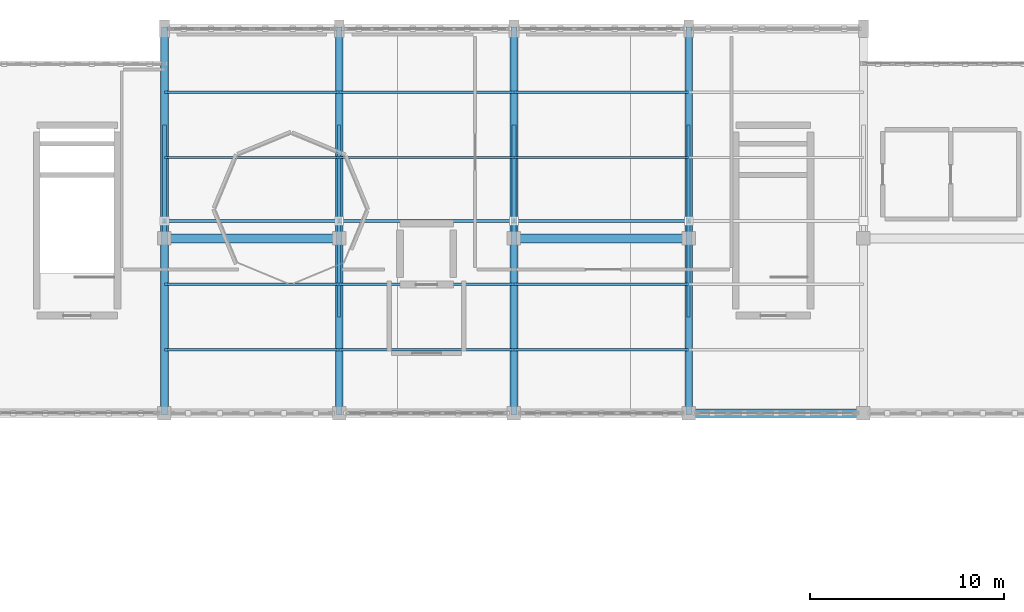
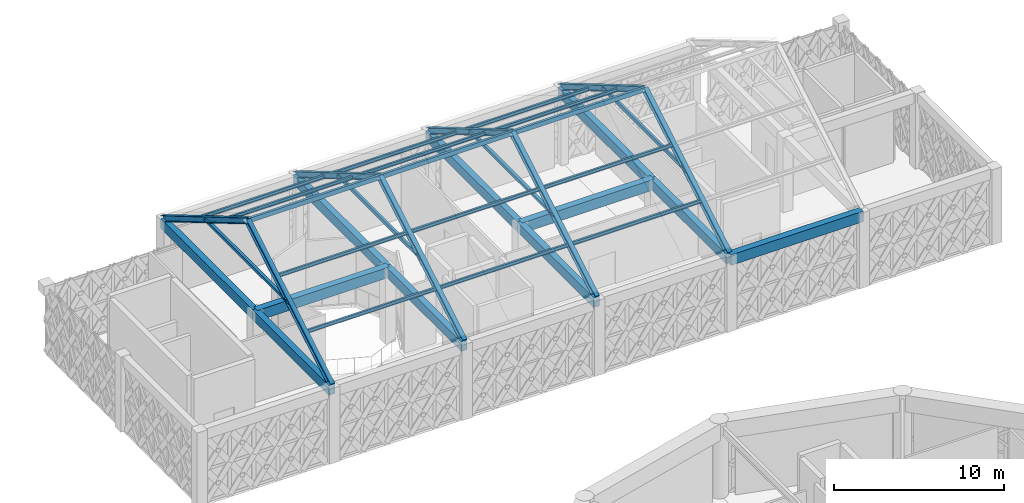
# One storey, part 44 of 72: 27 members, 11 beams.
"""IFC4 building model written with IfcOpenShell, lengths in metres."""

import ifcopenshell
import ifcopenshell.guid

model = None  # the IFC model being written
_history = None  # IfcOwnerHistory: only IFC2X3 demands one
_inside = {}  # id of a spatial element -> (the spatial element, [elements in it])
_under = {}  # id of a project, library or spatial element -> (it, [spatial elements below it])
_declared = {}  # id of a project -> (the project, [libraries it declares])
_typed = {}  # id of a type object -> (the type object, [elements of that type])
_made_of = {}  # id of a material, layer set ... -> (it, [elements and type objects made of it])


def new_model(schema):
    """Start an empty IFC model of exactly this schema.

    Asked for "IFC4X3", IfcOpenShell would pick the latest addendum, in which some entities
    have other attributes; the version numbers below select the first issue.
    IFC2X3 requires an IfcOwnerHistory on every rooted entity: one is made here for all.
    """
    global model, _history
    if schema == "IFC4X3":
        model = ifcopenshell.file(schema_version=(4, 3, 0, 0))
    else:
        model = ifcopenshell.file(schema=schema)
    _inside.clear()
    _under.clear()
    _declared.clear()
    _typed.clear()
    _made_of.clear()
    _history = None
    if model.schema == "IFC2X3":
        org = make("IfcOrganization", Name="unknown")
        user = make(
            "IfcPersonAndOrganization",
            ThePerson=make("IfcPerson", FamilyName="unknown"),
            TheOrganization=org,
        )
        app = make(
            "IfcApplication",
            ApplicationDeveloper=org,
            Version="unknown",
            ApplicationFullName="unknown",
            ApplicationIdentifier="unknown",
        )
        _history = make(
            "IfcOwnerHistory",
            OwningUser=user,
            OwningApplication=app,
            ChangeAction="ADDED",
            CreationDate=0,
        )
    return model


def make(cls, **values):
    """One entity of the class cls with the attributes given. An attribute that is None is left unset."""
    return model.create_entity(
        cls, **{name: value for name, value in values.items() if value is not None}
    )


def rooted(cls, **values):
    """An entity with a GlobalId (a new one), such as an element, a storey or a relation."""
    return make(cls, GlobalId=ifcopenshell.guid.new(), OwnerHistory=_history, **values)


def si_unit(unit_type, name, prefix=None):
    """IfcSIUnit, for example si_unit("LENGTHUNIT", "METRE", prefix="MILLI")."""
    return make("IfcSIUnit", UnitType=unit_type, Prefix=prefix, Name=name)


def assignment(units):
    """IfcUnitAssignment: the units of a project."""
    return None if units is None else make("IfcUnitAssignment", Units=units)


def point(xyz):
    """IfcCartesianPoint."""
    return None if xyz is None else make("IfcCartesianPoint", Coordinates=xyz)


def direction(xyz):
    """IfcDirection."""
    return None if xyz is None else make("IfcDirection", DirectionRatios=xyz)


def frame(location, z_axis=None, x_axis=None):
    """IfcAxis2Placement3D, a coordinate frame: its origin and axes. An axis left out is left unset."""
    return make(
        "IfcAxis2Placement3D",
        Location=point(location),
        Axis=direction(z_axis),
        RefDirection=direction(x_axis),
    )


def frame_2d(location, x_axis=None):
    """IfcAxis2Placement2D, a coordinate frame in the plane: its origin and x axis."""
    return make(
        "IfcAxis2Placement2D", Location=point(location), RefDirection=direction(x_axis)
    )


def origin():
    """The frame at (0, 0, 0) with its axes left unset."""
    return frame((0.0, 0.0, 0.0))


def origin_2d():
    """The frame at (0, 0) in the plane with its x axis left unset."""
    return frame_2d((0.0, 0.0))


def place(relative_to, where):
    """IfcLocalPlacement: puts the frame where relative to a parent placement (None: the world)."""
    return make(
        "IfcLocalPlacement", PlacementRelTo=relative_to, RelativePlacement=where
    )


def context(
    kind, dimensions, precision=None, world=None, true_north=None, identifier=None
):
    """IfcGeometricRepresentationContext, for example the 3D "Model" context."""
    return make(
        "IfcGeometricRepresentationContext",
        ContextIdentifier=identifier,
        ContextType=kind,
        CoordinateSpaceDimension=dimensions,
        Precision=precision,
        WorldCoordinateSystem=world,
        TrueNorth=true_north,
    )


def subcontext(parent, identifier, kind, view, scale=None):
    """IfcGeometricRepresentationSubContext, for example "Body" below "Model"."""
    return make(
        "IfcGeometricRepresentationSubContext",
        ContextIdentifier=identifier,
        ContextType=kind,
        ParentContext=parent,
        TargetScale=scale,
        TargetView=view,
    )


def project(units=None, contexts=None):
    """IfcProject with its units and contexts."""
    return rooted(
        "IfcProject",
        Name="project",
        RepresentationContexts=contexts,
        UnitsInContext=assignment(units),
    )


def spatial(cls, under=None, at=None, **own):
    """A site, building, storey or space (cls), placed at a placement, below another one or the project."""
    s = rooted(cls, ObjectPlacement=at, **own)
    if under is not None:
        _under.setdefault(under.id(), (under, []))[1].append(s)
    return s


def profile(cls, at=None, kind="AREA", **sizes):
    """A parametric profile (cls). Its sizes go by their IFC names, for example OverallWidth=200.0."""
    return make(cls, ProfileType=kind, Position=at, **sizes)


def rectangle(**sizes):
    """IfcRectangleProfileDef."""
    return profile("IfcRectangleProfileDef", **sizes)


def hollow_rectangle(**sizes):
    """IfcRectangleHollowProfileDef."""
    return profile("IfcRectangleHollowProfileDef", **sizes)


def i_section(**sizes):
    """IfcIShapeProfileDef."""
    return profile("IfcIShapeProfileDef", **sizes)


def extrude(swept, where, along, depth):
    """IfcExtrudedAreaSolid: the profile swept, set in the frame where, extruded along a direction by depth."""
    return make(
        "IfcExtrudedAreaSolid",
        SweptArea=swept,
        Position=where,
        ExtrudedDirection=direction(along),
        Depth=depth,
    )


def shape(context_of_items, identifier, shape_type, items):
    """IfcShapeRepresentation: the items that make up one representation, for example the "Body"."""
    return make(
        "IfcShapeRepresentation",
        ContextOfItems=context_of_items,
        RepresentationIdentifier=identifier,
        RepresentationType=shape_type,
        Items=items,
    )


def material(Name=None, Category=None):
    """IfcMaterial."""
    return make("IfcMaterial", Name=Name, Category=Category)


def material_profile(
    of_material, cross_section, Name=None, Category=None, Priority=None
):
    """IfcMaterialProfile: a cross section and its material."""
    return make(
        "IfcMaterialProfile",
        Name=Name,
        Material=of_material,
        Profile=cross_section,
        Priority=Priority,
        Category=Category,
    )


def profile_set(profiles, Name=None, composite=None):
    """IfcMaterialProfileSet."""
    return make(
        "IfcMaterialProfileSet",
        Name=Name,
        MaterialProfiles=profiles,
        CompositeProfile=composite,
    )


def made_of(thing, what):
    """Note that an element or type object is made of a material, layer set ...; save() writes the relation."""
    if what is not None:
        _made_of.setdefault(what.id(), (what, []))[1].append(thing)
    return thing


def type_object(cls, material=None, **own):
    """A type object (cls), such as IfcWallType, which elements share."""
    return made_of(rooted(cls, **own), material)


def element(
    cls,
    number,
    at=None,
    inside=None,
    cuts=None,
    type_object=None,
    material=None,
    context=None,
    identifier="Body",
    shape_type=None,
    held_by="IfcProductDefinitionShape",
    body=None,
    shapes=None,
    **own,
):
    """One element of the class cls, such as IfcWall. Its Tag is "e" and its number.

    at: its placement. inside: the storey or other place that contains it. cuts: it is an
    opening in that element (IfcRelVoidsElement). A single representation is given by context,
    identifier, shape_type and body (its items); several are given by shapes. held_by: the class
    of the entity that holds the representations. save() writes the other relations.
    """
    e = rooted(cls, Tag="e%d" % number, ObjectPlacement=at, **own)
    if body is not None:
        shapes = [shape(context, identifier, shape_type, body)]
    if shapes is not None:
        e.Representation = make(held_by, Representations=shapes)
    if inside is not None:
        _inside.setdefault(inside.id(), (inside, []))[1].append(e)
    if cuts is not None:
        rooted(
            "IfcRelVoidsElement", RelatingBuildingElement=cuts, RelatedOpeningElement=e
        )
    if type_object is not None:
        _typed.setdefault(type_object.id(), (type_object, []))[1].append(e)
    return made_of(e, material)


def aggregate(whole, parts):
    """IfcRelAggregates: a whole, such as a stair, and the parts it consists of."""
    return rooted("IfcRelAggregates", RelatingObject=whole, RelatedObjects=parts)


def save(model, path):
    """Write the relations noted so far, then the file.

    IfcRelAggregates (storeys below a building ...), IfcRelContainedInSpatialStructure (elements
    in a storey), IfcRelDefinesByType, IfcRelAssociatesMaterial and IfcRelDeclares: one each for
    every whole, place, type object, material and project.
    """
    for whole, parts in _under.values():
        aggregate(whole, parts)
    for where, things in _inside.values():
        rooted(
            "IfcRelContainedInSpatialStructure",
            RelatedElements=things,
            RelatingStructure=where,
        )
    for kind, things in _typed.values():
        rooted("IfcRelDefinesByType", RelatedObjects=things, RelatingType=kind)
    for what, things in _made_of.values():
        rooted("IfcRelAssociatesMaterial", RelatedObjects=things, RelatingMaterial=what)
    for by, libraries in _declared.values():
        rooted("IfcRelDeclares", RelatingContext=by, RelatedDefinitions=libraries)
    model.write(path)


model = new_model("IFC4")

# Units and contexts
model_context = context("Model", 3, precision=1e-05, world=origin(), true_north=direction((0.0, 1.0)))
body_context = subcontext(model_context, "Body", "Model", "MODEL_VIEW")
ifc_project = project(units=[si_unit("LENGTHUNIT", "METRE"), si_unit("AREAUNIT", "SQUARE_METRE"), si_unit("VOLUMEUNIT", "CUBIC_METRE"), si_unit("PLANEANGLEUNIT", "RADIAN"), si_unit("MASSUNIT", "GRAM", prefix="KILO")], contexts=[model_context])

# Site, building, storey
site_placement = place(None, origin())
site = spatial("IfcSite", under=ifc_project, at=site_placement, CompositionType="ELEMENT")
building_placement = place(site_placement, origin())
building = spatial("IfcBuilding", under=site, at=building_placement, Name="Haizhuo Lancet Aquarium", CompositionType="ELEMENT")
storey_placement = place(building_placement, frame((0.0, 0.0, 21.60009765625)))
storey = spatial("IfcBuildingStorey", under=building, at=storey_placement, Name="L04", CompositionType="ELEMENT", Elevation=21.60009765625)

# Beams
ifc_material_1 = material(Name="Concrete C40/50", Category="concrete")
ifc_material_profile_1 = material_profile(ifc_material_1, rectangle(XDim=0.39990234375, YDim=0.699951171875, at=origin_2d()), Name="RC-BM 400x700")
ifc_profile_set_1 = profile_set([ifc_material_profile_1], Name="Concrete C40/50")
beam_type_1 = type_object("IfcBeamType", Name="BM-RC-400x700", PredefinedType="BEAM", material=ifc_profile_set_1)
beam_1_placement = place(storey_placement, frame((-18.0, 36.0, 5.0498046875), z_axis=(0.0, 1.0, 0.0), x_axis=(-1.0, 0.0, 0.0)))
element("IfcBeam", 1, at=beam_1_placement, inside=storey, type_object=beam_type_1, Name="L04 V5 primary girder BM-L04-V5-003", PredefinedType="BEAM", context=body_context, shape_type="SweptSolid", body=[
    extrude(rectangle(XDim=0.39990234375, YDim=0.699951171875, at=origin_2d()), origin(), (0.0, 0.0, 1.0), 9.0),
])
beam_2_placement = place(storey_placement, frame((-18.0, 45.0, 5.0498046875), z_axis=(0.0, 1.0, 0.0), x_axis=(-1.0, 0.0, 0.0)))
element("IfcBeam", 2, at=beam_2_placement, inside=storey, type_object=beam_type_1, Name="L04 V5 primary girder BM-L04-V5-005", PredefinedType="BEAM", context=body_context, shape_type="SweptSolid", body=[
    extrude(rectangle(XDim=0.39990234375, YDim=0.699951171875, at=origin_2d()), origin(), (0.0, 0.0, 1.0), 10.800048828125),
])
beam_3_placement = place(storey_placement, frame((-9.0, 36.0, 5.0498046875), z_axis=(0.0, 1.0, 0.0), x_axis=(-1.0, 0.0, 0.0)))
element("IfcBeam", 3, at=beam_3_placement, inside=storey, type_object=beam_type_1, Name="L04 V5 primary girder BM-L04-V5-008", PredefinedType="BEAM", context=body_context, shape_type="SweptSolid", body=[
    extrude(rectangle(XDim=0.39990234375, YDim=0.699951171875, at=origin_2d()), origin(), (0.0, 0.0, 1.0), 9.0),
])
beam_4_placement = place(storey_placement, frame((-9.0, 45.0, 5.0498046875), z_axis=(0.0, 1.0, 0.0), x_axis=(-1.0, 0.0, 0.0)))
element("IfcBeam", 4, at=beam_4_placement, inside=storey, type_object=beam_type_1, Name="L04 V5 primary girder BM-L04-V5-010", PredefinedType="BEAM", context=body_context, shape_type="SweptSolid", body=[
    extrude(rectangle(XDim=0.39990234375, YDim=0.699951171875, at=origin_2d()), origin(), (0.0, 0.0, 1.0), 10.800048828125),
])
beam_5_placement = place(storey_placement, frame((0.0, 36.0, 5.0498046875), z_axis=(0.0, 1.0, 0.0), x_axis=(-1.0, 0.0, 0.0)))
element("IfcBeam", 5, at=beam_5_placement, inside=storey, type_object=beam_type_1, Name="L04 V5 primary girder BM-L04-V5-012", PredefinedType="BEAM", context=body_context, shape_type="SweptSolid", body=[
    extrude(rectangle(XDim=0.39990234375, YDim=0.699951171875, at=origin_2d()), origin(), (0.0, 0.0, 1.0), 9.0),
])
beam_6_placement = place(storey_placement, frame((0.0, 45.0, 5.0498046875), z_axis=(0.0, 1.0, 0.0), x_axis=(-1.0, 0.0, 0.0)))
element("IfcBeam", 6, at=beam_6_placement, inside=storey, type_object=beam_type_1, Name="L04 V5 primary girder BM-L04-V5-014", PredefinedType="BEAM", context=body_context, shape_type="SweptSolid", body=[
    extrude(rectangle(XDim=0.39990234375, YDim=0.699951171875, at=origin_2d()), origin(), (0.0, 0.0, 1.0), 10.800048828125),
])
beam_7_placement = place(storey_placement, frame((9.0, 36.0, 5.0498046875), z_axis=(0.0, 1.0, 0.0), x_axis=(-1.0, 0.0, 0.0)))
element("IfcBeam", 7, at=beam_7_placement, inside=storey, type_object=beam_type_1, Name="L04 V5 primary girder BM-L04-V5-017", PredefinedType="BEAM", context=body_context, shape_type="SweptSolid", body=[
    extrude(rectangle(XDim=0.39990234375, YDim=0.699951171875, at=origin_2d()), origin(), (0.0, 0.0, 1.0), 9.0),
])
beam_8_placement = place(storey_placement, frame((9.0, 45.0, 5.0498046875), z_axis=(0.0, 1.0, 0.0), x_axis=(-1.0, 0.0, 0.0)))
element("IfcBeam", 8, at=beam_8_placement, inside=storey, type_object=beam_type_1, Name="L04 V5 primary girder BM-L04-V5-019", PredefinedType="BEAM", context=body_context, shape_type="SweptSolid", body=[
    extrude(rectangle(XDim=0.39990234375, YDim=0.699951171875, at=origin_2d()), origin(), (0.0, 0.0, 1.0), 10.800048828125),
])
ifc_material_profile_2 = material_profile(ifc_material_1, rectangle(XDim=0.449951171875, YDim=0.75, at=origin_2d()), Name="RC-BM 450x750")
ifc_profile_set_2 = profile_set([ifc_material_profile_2], Name="Concrete C40/50")
beam_type_2 = type_object("IfcBeamType", Name="BM-RC-450x750", PredefinedType="BEAM", material=ifc_profile_set_2)
for number, where, z_axis, x_axis, name in (
    (9, (-18.0, 45.0, 5.02490234375), (1.0, 0.0, 0.0), (0.0, 1.0, 0.0), "L04 V5 primary girder BM-L04-V5-006"),
    (10, (0.0, 45.0, 5.02490234375), (1.0, 0.0, 0.0), (0.0, 1.0, 0.0), "L04 V5 primary girder BM-L04-V5-015"),
    (11, (9.0, 36.0, 5.02490234375), (1.0, 0.0, 0.0), (0.0, 1.0, 0.0), "L04 V5 primary girder BM-L04-V5-018"),
):
    element("IfcBeam", number, at=place(storey_placement, frame(where, z_axis=z_axis, x_axis=x_axis)), inside=storey, type_object=beam_type_2, Name=name, PredefinedType="BEAM", context=body_context, shape_type="SweptSolid", body=[
        extrude(rectangle(XDim=0.449951171875, YDim=0.75, at=origin_2d()), origin(), (0.0, 0.0, 1.0), 9.0),
    ])

# Members
ifc_material_2 = material(Name="Steel S355", Category="steel")
ifc_material_profile_3 = material_profile(ifc_material_2, hollow_rectangle(XDim=0.159912109375, YDim=0.320068359375, WallThickness=0.010009765625, at=origin_2d()), Name="RHS 160x320x10")
ifc_profile_set_3 = profile_set([ifc_material_profile_3], Name="Steel S355")
member_type_1 = type_object("IfcMemberType", Name="MEM-CH-RHS160x320", PredefinedType="CHORD", material=ifc_profile_set_3)
for number, where, z_axis, x_axis, name in (
    (12, (-18.0, 45.89990234375, 11.205810546875), (1.0, 0.0, 0.0), (0.0, 1.0, 0.0), "V5 roof ridge chord 1"),
    (13, (-9.0, 45.89990234375, 11.205810546875), (1.0, 0.0, 0.0), (0.0, 1.0, 0.0), "V5 roof ridge chord 2"),
    (14, (0.0, 45.89990234375, 11.205810546875), (1.0, 0.0, 0.0), (0.0, 1.0, 0.0), "V5 roof ridge chord 3"),
):
    element("IfcMember", number, at=place(storey_placement, frame(where, z_axis=z_axis, x_axis=x_axis)), inside=storey, type_object=member_type_1, Name=name, PredefinedType="CHORD", context=body_context, shape_type="SweptSolid", body=[
        extrude(hollow_rectangle(XDim=0.159912109375, YDim=0.320068359375, WallThickness=0.010009765625, at=origin_2d()), origin(), (0.0, 0.0, 1.0), 9.0),
    ])
ifc_material_profile_4 = material_profile(ifc_material_2, hollow_rectangle(XDim=0.14990234375, YDim=0.25, WallThickness=0.010009765625, at=origin_2d()), Name="RHS 150x250x10")
ifc_profile_set_4 = profile_set([ifc_material_profile_4], Name="Steel S355")
member_type_2 = type_object("IfcMemberType", Name="MEM-CL-RHS150x250", PredefinedType="COLLAR", material=ifc_profile_set_4)
for number, where, z_axis, x_axis, name in (
    (15, (-9.0, 40.949951171875, 8.287841796875), (0.0, 1.0, 0.0), (-1.0, 0.0, 0.0), "V5 Gothic roof collar tie 2"),
    (16, (9.0, 40.949951171875, 8.287841796875), (0.0, 1.0, 0.0), (-1.0, 0.0, 0.0), "V5 Gothic roof collar tie 4"),
):
    element("IfcMember", number, at=place(storey_placement, frame(where, z_axis=z_axis, x_axis=x_axis)), inside=storey, type_object=member_type_2, Name=name, PredefinedType="COLLAR", context=body_context, shape_type="SweptSolid", body=[
        extrude(hollow_rectangle(XDim=0.14990234375, YDim=0.25, WallThickness=0.010009765625, at=origin_2d()), origin(), (0.0, 0.0, 1.0), 9.900146484375),
    ])
ifc_material_profile_5 = material_profile(ifc_material_2, hollow_rectangle(XDim=0.199951171875, YDim=0.199951171875, WallThickness=0.010009765625, at=origin_2d()), Name="SHS 200x200x10")
ifc_profile_set_5 = profile_set([ifc_material_profile_5], Name="Steel S355")
member_type_3 = type_object("IfcMemberType", Name="MEM-CL-SHS200", PredefinedType="COLLAR", material=ifc_profile_set_5)
for number, where, z_axis, x_axis, name in (
    (17, (-18.0, 40.949951171875, 8.287841796875), (0.0, 1.0, 0.0), (-1.0, 0.0, 0.0), "V5 Gothic roof collar tie 1"),
    (18, (0.0, 40.949951171875, 8.287841796875), (0.0, 1.0, 0.0), (-1.0, 0.0, 0.0), "V5 Gothic roof collar tie 3"),
):
    element("IfcMember", number, at=place(storey_placement, frame(where, z_axis=z_axis, x_axis=x_axis)), inside=storey, type_object=member_type_3, Name=name, PredefinedType="COLLAR", context=body_context, shape_type="SweptSolid", body=[
        extrude(hollow_rectangle(XDim=0.199951171875, YDim=0.199951171875, WallThickness=0.010009765625, at=origin_2d()), origin(), (0.0, 0.0, 1.0), 9.900146484375),
    ])
ifc_material_profile_6 = material_profile(ifc_material_2, i_section(OverallWidth=0.125, OverallDepth=0.25, WebThickness=0.006103515625, FlangeThickness=0.009033203125, FilletRadius=0.010009765625, at=origin_2d()), Name="HN 250x125x6x9")
ifc_profile_set_6 = profile_set([ifc_material_profile_6], Name="Steel S355")
member_type_4 = type_object("IfcMemberType", Name="MEM-PR-HN250", PredefinedType="PURLIN", material=ifc_profile_set_6)
for number, where, z_axis, x_axis, name in (
    (19, (-18.0, 39.26708984375, 7.185791015625), (1.0, 0.0, 0.0), (0.0, 1.0, 0.0), "V5 south roof purlin 1"),
    (20, (-18.0, 52.532958984375, 7.185791015625), (1.0, 0.0, 0.0), (0.0, 1.0, 0.0), "V5 north roof purlin 1"),
    (21, (-18.0, 42.633056640625, 9.169921875), (1.0, 0.0, 0.0), (0.0, 1.0, 0.0), "V5 south roof purlin 1"),
    (22, (-18.0, 49.1669921875, 9.169921875), (1.0, 0.0, 0.0), (0.0, 1.0, 0.0), "V5 north roof purlin 1"),
    (23, (-9.0, 39.26708984375, 7.185791015625), (1.0, 0.0, 0.0), (0.0, 1.0, 0.0), "V5 south roof purlin 2"),
    (24, (-9.0, 52.532958984375, 7.185791015625), (1.0, 0.0, 0.0), (0.0, 1.0, 0.0), "V5 north roof purlin 2"),
    (25, (-9.0, 42.633056640625, 9.169921875), (1.0, 0.0, 0.0), (0.0, 1.0, 0.0), "V5 south roof purlin 2"),
    (26, (-9.0, 49.1669921875, 9.169921875), (1.0, 0.0, 0.0), (0.0, 1.0, 0.0), "V5 north roof purlin 2"),
    (27, (0.0, 39.26708984375, 7.185791015625), (1.0, 0.0, 0.0), (0.0, 1.0, 0.0), "V5 south roof purlin 3"),
    (28, (0.0, 52.532958984375, 7.185791015625), (1.0, 0.0, 0.0), (0.0, 1.0, 0.0), "V5 north roof purlin 3"),
    (29, (0.0, 42.633056640625, 9.169921875), (1.0, 0.0, 0.0), (0.0, 1.0, 0.0), "V5 south roof purlin 3"),
    (30, (0.0, 49.1669921875, 9.169921875), (1.0, 0.0, 0.0), (0.0, 1.0, 0.0), "V5 north roof purlin 3"),
):
    element("IfcMember", number, at=place(storey_placement, frame(where, z_axis=z_axis, x_axis=x_axis)), inside=storey, type_object=member_type_4, Name=name, PredefinedType="PURLIN", context=body_context, shape_type="SweptSolid", body=[
        extrude(i_section(OverallWidth=0.125, OverallDepth=0.25, WebThickness=0.006103515625, FlangeThickness=0.009033203125, FilletRadius=0.010009765625, at=origin_2d()), origin(), (0.0, 0.0, 1.0), 9.0),
    ])
ifc_material_profile_7 = material_profile(ifc_material_2, i_section(OverallWidth=0.300048828125, OverallDepth=0.389892578125, WebThickness=0.010009765625, FlangeThickness=0.01611328125, FilletRadius=0.02001953125, at=origin_2d()), Name="HM 390x300x10x16")
ifc_profile_set_7 = profile_set([ifc_material_profile_7], Name="Steel S355")
member_type_5 = type_object("IfcMemberType", Name="MEM-RF-HM390", PredefinedType="RAFTER", material=ifc_profile_set_7)
member_1_placement = place(storey_placement, frame((-18.0, 36.0, 5.369873046875), z_axis=(0.0, 0.861459799208, 0.507825771647), x_axis=(-1.0, 0.0, 0.0)))
element("IfcMember", 31, at=member_1_placement, inside=storey, type_object=member_type_5, Name="V5 Gothic pitched roof south rafter 1", PredefinedType="RAFTER", context=body_context, shape_type="SweptSolid", body=[
    extrude(i_section(OverallWidth=0.300048828125, OverallDepth=0.389892578125, WebThickness=0.010009765625, FlangeThickness=0.01611328125, FilletRadius=0.02001953125, at=origin_2d()), origin(), (0.0, 0.0, 1.0), 11.491943359375),
])
member_2_placement = place(storey_placement, frame((-18.0, 55.800048828125, 5.369873046875), z_axis=(0.0, -0.861465277709, 0.507816477975), x_axis=(1.0, 0.0, 0.0)))
element("IfcMember", 32, at=member_2_placement, inside=storey, type_object=member_type_5, Name="V5 Gothic pitched roof north rafter 1", PredefinedType="RAFTER", context=body_context, shape_type="SweptSolid", body=[
    extrude(i_section(OverallWidth=0.300048828125, OverallDepth=0.389892578125, WebThickness=0.010009765625, FlangeThickness=0.01611328125, FilletRadius=0.02001953125, at=origin_2d()), origin(), (0.0, 0.0, 1.0), 11.4921875),
])
member_3_placement = place(storey_placement, frame((-9.0, 36.0, 5.369873046875), z_axis=(0.0, 0.861459799208, 0.507825771647), x_axis=(-1.0, 0.0, 0.0)))
element("IfcMember", 33, at=member_3_placement, inside=storey, type_object=member_type_5, Name="V5 Gothic pitched roof south rafter 2", PredefinedType="RAFTER", context=body_context, shape_type="SweptSolid", body=[
    extrude(i_section(OverallWidth=0.300048828125, OverallDepth=0.389892578125, WebThickness=0.010009765625, FlangeThickness=0.01611328125, FilletRadius=0.02001953125, at=origin_2d()), origin(), (0.0, 0.0, 1.0), 11.491943359375),
])
member_4_placement = place(storey_placement, frame((-9.0, 55.800048828125, 5.369873046875), z_axis=(0.0, -0.861465277709, 0.507816477975), x_axis=(1.0, 0.0, 0.0)))
element("IfcMember", 34, at=member_4_placement, inside=storey, type_object=member_type_5, Name="V5 Gothic pitched roof north rafter 2", PredefinedType="RAFTER", context=body_context, shape_type="SweptSolid", body=[
    extrude(i_section(OverallWidth=0.300048828125, OverallDepth=0.389892578125, WebThickness=0.010009765625, FlangeThickness=0.01611328125, FilletRadius=0.02001953125, at=origin_2d()), origin(), (0.0, 0.0, 1.0), 11.4921875),
])
member_5_placement = place(storey_placement, frame((0.0, 36.0, 5.369873046875), z_axis=(0.0, 0.861459799208, 0.507825771647), x_axis=(-1.0, 0.0, 0.0)))
element("IfcMember", 35, at=member_5_placement, inside=storey, type_object=member_type_5, Name="V5 Gothic pitched roof south rafter 3", PredefinedType="RAFTER", context=body_context, shape_type="SweptSolid", body=[
    extrude(i_section(OverallWidth=0.300048828125, OverallDepth=0.389892578125, WebThickness=0.010009765625, FlangeThickness=0.01611328125, FilletRadius=0.02001953125, at=origin_2d()), origin(), (0.0, 0.0, 1.0), 11.491943359375),
])
member_6_placement = place(storey_placement, frame((0.0, 55.800048828125, 5.369873046875), z_axis=(0.0, -0.861465277709, 0.507816477975), x_axis=(1.0, 0.0, 0.0)))
element("IfcMember", 36, at=member_6_placement, inside=storey, type_object=member_type_5, Name="V5 Gothic pitched roof north rafter 3", PredefinedType="RAFTER", context=body_context, shape_type="SweptSolid", body=[
    extrude(i_section(OverallWidth=0.300048828125, OverallDepth=0.389892578125, WebThickness=0.010009765625, FlangeThickness=0.01611328125, FilletRadius=0.02001953125, at=origin_2d()), origin(), (0.0, 0.0, 1.0), 11.4921875),
])
member_7_placement = place(storey_placement, frame((9.0, 36.0, 5.369873046875), z_axis=(0.0, 0.861459799208, 0.507825771647), x_axis=(-1.0, 0.0, 0.0)))
element("IfcMember", 37, at=member_7_placement, inside=storey, type_object=member_type_5, Name="V5 Gothic pitched roof south rafter 4", PredefinedType="RAFTER", context=body_context, shape_type="SweptSolid", body=[
    extrude(i_section(OverallWidth=0.300048828125, OverallDepth=0.389892578125, WebThickness=0.010009765625, FlangeThickness=0.01611328125, FilletRadius=0.02001953125, at=origin_2d()), origin(), (0.0, 0.0, 1.0), 11.491943359375),
])
member_8_placement = place(storey_placement, frame((9.0, 55.800048828125, 5.369873046875), z_axis=(0.0, -0.861465277709, 0.507816477975), x_axis=(1.0, 0.0, 0.0)))
element("IfcMember", 38, at=member_8_placement, inside=storey, type_object=member_type_5, Name="V5 Gothic pitched roof north rafter 4", PredefinedType="RAFTER", context=body_context, shape_type="SweptSolid", body=[
    extrude(i_section(OverallWidth=0.300048828125, OverallDepth=0.389892578125, WebThickness=0.010009765625, FlangeThickness=0.01611328125, FilletRadius=0.02001953125, at=origin_2d()), origin(), (0.0, 0.0, 1.0), 11.4921875),
])

save(model, "model.ifc")
